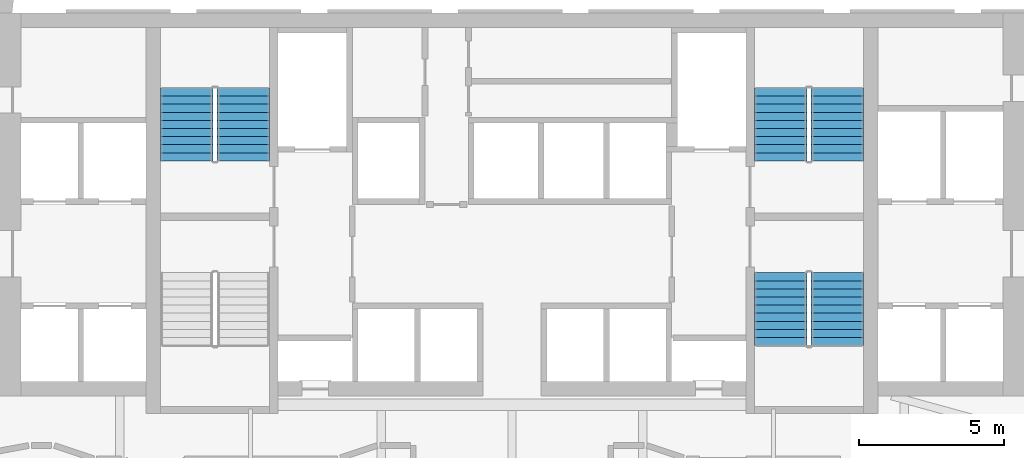
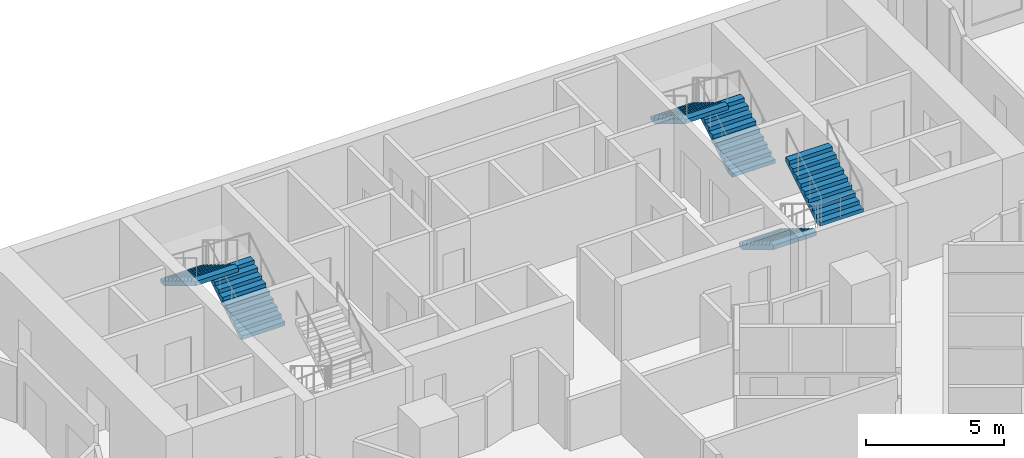
# One storey, part 11 of 12: 6 stair flights, 3 elements without a shape of their own.
"""IFC4 building model written with IfcOpenShell, lengths in metres."""

from ifc_helpers import new_model, si_unit, direction, frame, origin, place, context, subcontext, project, spatial, faceted_brep, source, transform, mapped, material, type_object, element, aggregate, save


model = new_model("IFC4")

# Units and contexts
model_context = context("Model", 3, precision=1e-05, world=origin(), true_north=direction((0.0, 1.0)))
body_context = subcontext(model_context, "Body", "Model", "MODEL_VIEW")
ifc_project = project(units=[si_unit("LENGTHUNIT", "METRE"), si_unit("AREAUNIT", "SQUARE_METRE"), si_unit("VOLUMEUNIT", "CUBIC_METRE"), si_unit("PLANEANGLEUNIT", "RADIAN"), si_unit("MASSUNIT", "GRAM", prefix="KILO")], contexts=[model_context])

# Site, building, storey
site_placement = place(None, origin())
site = spatial("IfcSite", under=ifc_project, at=site_placement, CompositionType="ELEMENT")
building_placement = place(site_placement, origin())
building = spatial("IfcBuilding", under=site, at=building_placement, Name="Calabash Gate Tower", CompositionType="ELEMENT")
storey_placement = place(building_placement, frame((0.0, 0.0, 76.60009765625)))
storey = spatial("IfcBuildingStorey", under=building, at=storey_placement, Name="L15", CompositionType="ELEMENT", Elevation=76.60009765625)

# Stair, stair flights
ifc_material_1 = material(Name="Concrete C40/50", Category="concrete")
stair_type = type_object("IfcStairType", Name="Exit stair 20 risers of 170 mm", PredefinedType="HALF_TURN_STAIR", material=ifc_material_1)
stair_1_placement = place(storey_placement, origin())
stair_1 = element("IfcStair", 1, at=stair_1_placement, inside=storey, type_object=stair_type, Name="L15 Exit stair ST1", PredefinedType="HALF_TURN_STAIR")
ifc_material_2 = material(Name="Concrete C40/50", Category="concrete")
stair_flight_type = type_object("IfcStairFlightType", Name="Exit stair flight SFL", PredefinedType="STRAIGHT", material=ifc_material_2)
shared_shape = source(origin(), body_context, "Body", "Brep", [
    faceted_brep([(-0.0009765625, -0.89990234375, 0.0), (0.2880859375, -0.89990234375, 0.0), (2.511962890625, -0.89990234375, 1.3544921875), (-0.0009765625, 0.89990234375, 0.0), (2.511962890625, 0.89990234375, 1.3544921875), (0.2880859375, 0.89990234375, 0.0), (2.511962890625, -0.89990234375, 1.5419921875), (2.510986328125, -0.89990234375, 1.5419921875), (2.510986328125, 0.89990234375, 1.5419921875), (2.511962890625, 0.89990234375, 1.5419921875), (2.510986328125, -0.89990234375, 1.530029296875), (2.510986328125, 0.89990234375, 1.530029296875), (2.23193359375, -0.89990234375, 1.530029296875), (2.23193359375, 0.89990234375, 1.530029296875), (2.23193359375, -0.89990234375, 1.360107421875), (2.23193359375, 0.89990234375, 1.360107421875), (1.952880859375, -0.89990234375, 1.360107421875), (1.952880859375, 0.89990234375, 1.360107421875), (1.952880859375, -0.89990234375, 1.18994140625), (1.952880859375, 0.89990234375, 1.18994140625), (1.674072265625, -0.89990234375, 1.18994140625), (1.674072265625, -0.89990234375, 1.02001953125), (1.674072265625, 0.89990234375, 1.02001953125), (1.674072265625, 0.89990234375, 1.18994140625), (1.39501953125, -0.89990234375, 1.02001953125), (1.39501953125, -0.89990234375, 0.85009765625), (1.39501953125, 0.89990234375, 0.85009765625), (1.39501953125, 0.89990234375, 1.02001953125), (1.115966796875, -0.89990234375, 0.85009765625), (1.115966796875, -0.89990234375, 0.679931640625), (1.115966796875, 0.89990234375, 0.679931640625), (1.115966796875, 0.89990234375, 0.85009765625), (0.8369140625, -0.89990234375, 0.679931640625), (0.8369140625, -0.89990234375, 0.510009765625), (0.8369140625, 0.89990234375, 0.510009765625), (0.8369140625, 0.89990234375, 0.679931640625), (0.55810546875, -0.89990234375, 0.510009765625), (0.55810546875, -0.89990234375, 0.340087890625), (0.55810546875, 0.89990234375, 0.340087890625), (0.55810546875, 0.89990234375, 0.510009765625), (0.279052734375, -0.89990234375, 0.340087890625), (0.279052734375, -0.89990234375, 0.169921875), (0.279052734375, 0.89990234375, 0.169921875), (0.279052734375, 0.89990234375, 0.340087890625), (-0.0009765625, -0.89990234375, 0.169921875), (-0.0009765625, 0.89990234375, 0.169921875), (0.2880859375, -0.360107421875, 0.0), (2.511962890625, -0.360107421875, 1.3544921875), (0.2880859375, -0.179931640625, 0.0), (2.511962890625, -0.179931640625, 1.3544921875), (0.2880859375, 0.0, 0.0), (2.511962890625, 0.0, 1.3544921875), (0.2880859375, 0.179931640625, 0.0), (2.511962890625, 0.179931640625, 1.3544921875), (0.2880859375, 0.360107421875, 0.0), (2.511962890625, 0.360107421875, 1.3544921875), (2.511962890625, -0.360107421875, 1.5419921875), (2.511962890625, -0.179931640625, 1.5419921875), (2.511962890625, 0.0, 1.5419921875), (2.511962890625, 0.179931640625, 1.5419921875), (2.511962890625, 0.360107421875, 1.5419921875), (2.510986328125, -0.360107421875, 1.5419921875), (2.510986328125, -0.179931640625, 1.5419921875), (2.510986328125, 0.0, 1.5419921875), (2.510986328125, 0.179931640625, 1.5419921875), (2.510986328125, 0.360107421875, 1.5419921875), (2.510986328125, -0.360107421875, 1.530029296875), (2.510986328125, -0.179931640625, 1.530029296875), (2.510986328125, 0.0, 1.530029296875), (2.510986328125, 0.179931640625, 1.530029296875), (2.510986328125, 0.360107421875, 1.530029296875), (2.23193359375, -0.360107421875, 1.530029296875), (2.23193359375, -0.179931640625, 1.530029296875), (2.23193359375, 0.0, 1.530029296875), (2.23193359375, 0.179931640625, 1.530029296875), (2.23193359375, 0.360107421875, 1.530029296875), (2.23193359375, -0.360107421875, 1.360107421875), (2.23193359375, -0.179931640625, 1.360107421875), (2.23193359375, 0.0, 1.360107421875), (2.23193359375, 0.179931640625, 1.360107421875), (2.23193359375, 0.360107421875, 1.360107421875), (1.952880859375, -0.360107421875, 1.360107421875), (1.952880859375, -0.179931640625, 1.360107421875), (1.952880859375, 0.0, 1.360107421875), (1.952880859375, 0.179931640625, 1.360107421875), (1.952880859375, 0.360107421875, 1.360107421875), (1.952880859375, -0.360107421875, 1.18994140625), (1.952880859375, -0.179931640625, 1.18994140625), (1.952880859375, 0.0, 1.18994140625), (1.952880859375, 0.179931640625, 1.18994140625), (1.952880859375, 0.360107421875, 1.18994140625), (1.674072265625, -0.360107421875, 1.18994140625), (1.674072265625, -0.179931640625, 1.18994140625), (1.674072265625, 0.0, 1.18994140625), (1.674072265625, 0.179931640625, 1.18994140625), (1.674072265625, 0.360107421875, 1.18994140625), (1.674072265625, -0.360107421875, 1.02001953125), (1.674072265625, -0.179931640625, 1.02001953125), (1.674072265625, 0.0, 1.02001953125), (1.674072265625, 0.179931640625, 1.02001953125), (1.674072265625, 0.360107421875, 1.02001953125), (1.39501953125, -0.360107421875, 1.02001953125), (1.39501953125, -0.179931640625, 1.02001953125), (1.39501953125, 0.0, 1.02001953125), (1.39501953125, 0.179931640625, 1.02001953125), (1.39501953125, 0.360107421875, 1.02001953125), (1.39501953125, -0.360107421875, 0.85009765625), (1.39501953125, -0.179931640625, 0.85009765625), (1.39501953125, 0.0, 0.85009765625), (1.39501953125, 0.179931640625, 0.85009765625), (1.39501953125, 0.360107421875, 0.85009765625), (1.115966796875, -0.360107421875, 0.85009765625), (1.115966796875, -0.179931640625, 0.85009765625), (1.115966796875, 0.0, 0.85009765625), (1.115966796875, 0.179931640625, 0.85009765625), (1.115966796875, 0.360107421875, 0.85009765625), (1.115966796875, -0.360107421875, 0.679931640625), (1.115966796875, -0.179931640625, 0.679931640625), (1.115966796875, 0.0, 0.679931640625), (1.115966796875, 0.179931640625, 0.679931640625), (1.115966796875, 0.360107421875, 0.679931640625), (0.8369140625, -0.360107421875, 0.679931640625), (0.8369140625, -0.179931640625, 0.679931640625), (0.8369140625, 0.0, 0.679931640625), (0.8369140625, 0.179931640625, 0.679931640625), (0.8369140625, 0.360107421875, 0.679931640625), (0.8369140625, -0.360107421875, 0.510009765625), (0.8369140625, -0.179931640625, 0.510009765625), (0.8369140625, 0.0, 0.510009765625), (0.8369140625, 0.179931640625, 0.510009765625), (0.8369140625, 0.360107421875, 0.510009765625), (0.55810546875, -0.360107421875, 0.510009765625), (0.55810546875, -0.179931640625, 0.510009765625), (0.55810546875, 0.0, 0.510009765625), (0.55810546875, 0.179931640625, 0.510009765625), (0.55810546875, 0.360107421875, 0.510009765625), (0.55810546875, -0.360107421875, 0.340087890625), (0.55810546875, -0.179931640625, 0.340087890625), (0.55810546875, 0.0, 0.340087890625), (0.55810546875, 0.179931640625, 0.340087890625), (0.55810546875, 0.360107421875, 0.340087890625), (0.279052734375, -0.360107421875, 0.340087890625), (0.279052734375, -0.179931640625, 0.340087890625), (0.279052734375, 0.0, 0.340087890625), (0.279052734375, 0.179931640625, 0.340087890625), (0.279052734375, 0.360107421875, 0.340087890625), (0.279052734375, -0.360107421875, 0.169921875), (0.279052734375, -0.179931640625, 0.169921875), (0.279052734375, 0.0, 0.169921875), (0.279052734375, 0.179931640625, 0.169921875), (0.279052734375, 0.360107421875, 0.169921875), (-0.0009765625, -0.360107421875, 0.169921875), (-0.0009765625, -0.179931640625, 0.169921875), (-0.0009765625, 0.0, 0.169921875), (-0.0009765625, 0.179931640625, 0.169921875), (-0.0009765625, 0.360107421875, 0.169921875), (-0.0009765625, -0.360107421875, 0.0), (-0.0009765625, -0.179931640625, 0.0), (-0.0009765625, 0.0, 0.0), (-0.0009765625, 0.179931640625, 0.0), (-0.0009765625, 0.360107421875, 0.0)], [[[0, 1, 2]], [[3, 4, 5]], [[2, 6, 7]], [[4, 8, 9]], [[2, 7, 10]], [[4, 11, 8]], [[2, 10, 12]], [[4, 13, 11]], [[2, 12, 14]], [[4, 15, 13]], [[2, 14, 16]], [[4, 17, 15]], [[2, 16, 18]], [[4, 19, 17]], [[18, 20, 21]], [[19, 22, 23]], [[2, 18, 21]], [[4, 22, 19]], [[21, 24, 25]], [[22, 26, 27]], [[2, 21, 25]], [[4, 26, 22]], [[25, 28, 29]], [[26, 30, 31]], [[2, 25, 29]], [[4, 30, 26]], [[29, 32, 33]], [[30, 34, 35]], [[2, 29, 33]], [[4, 34, 30]], [[33, 36, 37]], [[34, 38, 39]], [[2, 33, 37]], [[4, 38, 34]], [[37, 40, 41]], [[38, 42, 43]], [[2, 37, 41]], [[4, 42, 38]], [[0, 2, 41]], [[3, 42, 4]], [[41, 44, 0]], [[42, 3, 45]], [[1, 46, 2]], [[46, 47, 2]], [[46, 48, 47]], [[48, 49, 47]], [[48, 50, 49]], [[50, 51, 49]], [[50, 52, 53]], [[50, 53, 51]], [[52, 54, 55]], [[52, 55, 53]], [[54, 5, 4]], [[54, 4, 55]], [[2, 47, 6]], [[47, 56, 6]], [[47, 49, 56]], [[49, 57, 56]], [[49, 51, 57]], [[51, 58, 57]], [[51, 53, 59]], [[51, 59, 58]], [[53, 55, 60]], [[53, 60, 59]], [[55, 4, 9]], [[55, 9, 60]], [[6, 56, 7]], [[56, 61, 7]], [[56, 57, 61]], [[57, 62, 61]], [[57, 58, 62]], [[58, 63, 62]], [[58, 59, 64]], [[58, 64, 63]], [[59, 60, 65]], [[59, 65, 64]], [[60, 9, 8]], [[60, 8, 65]], [[7, 61, 10]], [[61, 66, 10]], [[61, 62, 66]], [[62, 67, 66]], [[62, 63, 67]], [[63, 68, 67]], [[63, 64, 69]], [[63, 69, 68]], [[64, 65, 70]], [[64, 70, 69]], [[65, 8, 11]], [[65, 11, 70]], [[10, 66, 12]], [[66, 71, 12]], [[66, 67, 71]], [[67, 72, 71]], [[67, 68, 72]], [[68, 73, 72]], [[68, 69, 74]], [[68, 74, 73]], [[69, 70, 75]], [[69, 75, 74]], [[70, 11, 13]], [[70, 13, 75]], [[12, 71, 14]], [[71, 76, 14]], [[71, 72, 76]], [[72, 77, 76]], [[72, 73, 77]], [[73, 78, 77]], [[73, 74, 79]], [[73, 79, 78]], [[74, 75, 80]], [[74, 80, 79]], [[75, 13, 15]], [[75, 15, 80]], [[14, 76, 16]], [[76, 81, 16]], [[76, 77, 81]], [[77, 82, 81]], [[77, 78, 82]], [[78, 83, 82]], [[78, 79, 84]], [[78, 84, 83]], [[79, 80, 85]], [[79, 85, 84]], [[80, 15, 17]], [[80, 17, 85]], [[16, 81, 18]], [[81, 86, 18]], [[81, 82, 86]], [[82, 87, 86]], [[82, 83, 87]], [[83, 88, 87]], [[83, 84, 89]], [[83, 89, 88]], [[84, 85, 90]], [[84, 90, 89]], [[85, 17, 19]], [[85, 19, 90]], [[18, 86, 20]], [[86, 91, 20]], [[86, 87, 91]], [[87, 92, 91]], [[87, 88, 92]], [[88, 93, 92]], [[88, 89, 94]], [[88, 94, 93]], [[89, 90, 95]], [[89, 95, 94]], [[90, 19, 23]], [[90, 23, 95]], [[20, 91, 21]], [[91, 96, 21]], [[91, 92, 96]], [[92, 97, 96]], [[92, 93, 97]], [[93, 98, 97]], [[93, 94, 99]], [[93, 99, 98]], [[94, 95, 100]], [[94, 100, 99]], [[95, 23, 22]], [[95, 22, 100]], [[21, 96, 24]], [[96, 101, 24]], [[96, 97, 101]], [[97, 102, 101]], [[97, 98, 102]], [[98, 103, 102]], [[98, 99, 104]], [[98, 104, 103]], [[99, 100, 105]], [[99, 105, 104]], [[100, 22, 27]], [[100, 27, 105]], [[24, 101, 25]], [[101, 106, 25]], [[101, 102, 106]], [[102, 107, 106]], [[102, 103, 107]], [[103, 108, 107]], [[103, 104, 109]], [[103, 109, 108]], [[104, 105, 110]], [[104, 110, 109]], [[105, 27, 26]], [[105, 26, 110]], [[25, 106, 28]], [[106, 111, 28]], [[106, 107, 111]], [[107, 112, 111]], [[107, 108, 112]], [[108, 113, 112]], [[108, 109, 114]], [[108, 114, 113]], [[109, 110, 115]], [[109, 115, 114]], [[110, 26, 31]], [[110, 31, 115]], [[28, 111, 29]], [[111, 116, 29]], [[111, 112, 116]], [[112, 117, 116]], [[112, 113, 117]], [[113, 118, 117]], [[113, 114, 119]], [[113, 119, 118]], [[114, 115, 120]], [[114, 120, 119]], [[115, 31, 30]], [[115, 30, 120]], [[29, 116, 32]], [[116, 121, 32]], [[116, 117, 121]], [[117, 122, 121]], [[117, 118, 122]], [[118, 123, 122]], [[118, 119, 124]], [[118, 124, 123]], [[119, 120, 125]], [[119, 125, 124]], [[120, 30, 35]], [[120, 35, 125]], [[32, 121, 33]], [[121, 126, 33]], [[121, 122, 126]], [[122, 127, 126]], [[122, 123, 127]], [[123, 128, 127]], [[123, 124, 129]], [[123, 129, 128]], [[124, 125, 130]], [[124, 130, 129]], [[125, 35, 34]], [[125, 34, 130]], [[33, 126, 36]], [[126, 131, 36]], [[126, 127, 131]], [[127, 132, 131]], [[127, 128, 132]], [[128, 133, 132]], [[128, 129, 134]], [[128, 134, 133]], [[129, 130, 135]], [[129, 135, 134]], [[130, 34, 39]], [[130, 39, 135]], [[36, 131, 37]], [[131, 136, 37]], [[131, 132, 136]], [[132, 137, 136]], [[132, 133, 137]], [[133, 138, 137]], [[133, 134, 139]], [[133, 139, 138]], [[134, 135, 140]], [[134, 140, 139]], [[135, 39, 38]], [[135, 38, 140]], [[37, 136, 40]], [[136, 141, 40]], [[136, 137, 141]], [[137, 142, 141]], [[137, 138, 142]], [[138, 143, 142]], [[138, 139, 144]], [[138, 144, 143]], [[139, 140, 145]], [[139, 145, 144]], [[140, 38, 43]], [[140, 43, 145]], [[40, 141, 41]], [[141, 146, 41]], [[141, 142, 146]], [[142, 147, 146]], [[142, 143, 147]], [[143, 148, 147]], [[143, 144, 149]], [[143, 149, 148]], [[144, 145, 150]], [[144, 150, 149]], [[145, 43, 42]], [[145, 42, 150]], [[41, 146, 44]], [[146, 151, 44]], [[146, 147, 151]], [[147, 152, 151]], [[147, 148, 152]], [[148, 153, 152]], [[148, 149, 154]], [[148, 154, 153]], [[149, 150, 155]], [[149, 155, 154]], [[150, 42, 45]], [[150, 45, 155]], [[44, 151, 0]], [[151, 156, 0]], [[151, 152, 156]], [[152, 157, 156]], [[152, 153, 157]], [[153, 158, 157]], [[153, 154, 159]], [[153, 159, 158]], [[154, 155, 160]], [[154, 160, 159]], [[155, 45, 3]], [[155, 3, 160]], [[0, 156, 1]], [[156, 46, 1]], [[156, 157, 46]], [[157, 48, 46]], [[157, 158, 48]], [[158, 50, 48]], [[158, 159, 52]], [[158, 52, 50]], [[159, 160, 54]], [[159, 54, 52]], [[160, 3, 5]], [[160, 5, 54]]]),
])
stair_flight_1_placement = place(storey_placement, frame((-9.25, 13.95263671875, 0.0), z_axis=(0.0, 0.0, 1.0), x_axis=(0.0, 1.0, 0.0)))
stair_flight_1 = element("IfcStairFlight", 2, at=stair_flight_1_placement, type_object=stair_flight_type, Name="ST1 flight 1", NumberOfRisers=10, NumberOfTreads=9, PredefinedType="STRAIGHT", RiserHeight=0.17, TreadLength=0.279, context=body_context, shape_type="MappedRepresentation", body=[
    mapped(shared_shape, transform((0.0, 0.0, 0.0), scale=1.0)),
])
stair_flight_2_placement = place(storey_placement, frame((-11.199951171875, 16.463623046875, 1.699951171875), z_axis=(0.0, 0.0, 1.0), x_axis=(0.0, -1.0, 0.0)))
stair_flight_2 = element("IfcStairFlight", 3, at=stair_flight_2_placement, type_object=stair_flight_type, Name="ST1 flight 2", NumberOfRisers=10, NumberOfTreads=9, PredefinedType="STRAIGHT", RiserHeight=0.17, TreadLength=0.279, context=body_context, shape_type="MappedRepresentation", body=[
    mapped(shared_shape, transform((0.0, 0.0, 0.0), scale=1.0)),
])
aggregate(stair_1, [stair_flight_1, stair_flight_2])

stair_2_placement = place(storey_placement, origin())
stair_2 = element("IfcStair", 4, at=stair_2_placement, inside=storey, type_object=stair_type, Name="L15 Exit stair ST3", PredefinedType="HALF_TURN_STAIR")
stair_flight_3_placement = place(storey_placement, frame((11.199951171875, 13.95263671875, 0.0), z_axis=(0.0, 0.0, 1.0), x_axis=(0.0, 1.0, 0.0)))
stair_flight_3 = element("IfcStairFlight", 5, at=stair_flight_3_placement, type_object=stair_flight_type, Name="ST3 flight 1", NumberOfRisers=10, NumberOfTreads=9, PredefinedType="STRAIGHT", RiserHeight=0.17, TreadLength=0.279, context=body_context, shape_type="MappedRepresentation", body=[
    mapped(shared_shape, transform((0.0, 0.0, 0.0), scale=1.0)),
])
stair_flight_4_placement = place(storey_placement, frame((9.25, 16.463623046875, 1.699951171875), z_axis=(0.0, 0.0, 1.0), x_axis=(0.0, -1.0, 0.0)))
stair_flight_4 = element("IfcStairFlight", 6, at=stair_flight_4_placement, type_object=stair_flight_type, Name="ST3 flight 2", NumberOfRisers=10, NumberOfTreads=9, PredefinedType="STRAIGHT", RiserHeight=0.17, TreadLength=0.279, context=body_context, shape_type="MappedRepresentation", body=[
    mapped(shared_shape, transform((0.0, 0.0, 0.0), scale=1.0)),
])
aggregate(stair_2, [stair_flight_3, stair_flight_4])

stair_3_placement = place(storey_placement, origin())
stair_3 = element("IfcStair", 7, at=stair_3_placement, inside=storey, type_object=stair_type, Name="L15 Exit stair ST4", PredefinedType="HALF_TURN_STAIR")
stair_flight_5_placement = place(storey_placement, frame((9.25, 10.1025390625, 0.0), z_axis=(0.0, 0.0, 1.0), x_axis=(0.0, -1.0, 0.0)))
stair_flight_5 = element("IfcStairFlight", 8, at=stair_flight_5_placement, type_object=stair_flight_type, Name="ST4 flight 1", NumberOfRisers=10, NumberOfTreads=9, PredefinedType="STRAIGHT", RiserHeight=0.17, TreadLength=0.279, context=body_context, shape_type="MappedRepresentation", body=[
    mapped(shared_shape, transform((0.0, 0.0, 0.0), scale=1.0)),
])
stair_flight_6_placement = place(storey_placement, frame((11.199951171875, 7.591552734375, 1.699951171875), z_axis=(0.0, 0.0, 1.0), x_axis=(0.0, 1.0, 0.0)))
stair_flight_6 = element("IfcStairFlight", 9, at=stair_flight_6_placement, type_object=stair_flight_type, Name="ST4 flight 2", NumberOfRisers=10, NumberOfTreads=9, PredefinedType="STRAIGHT", RiserHeight=0.17, TreadLength=0.279, context=body_context, shape_type="MappedRepresentation", body=[
    mapped(shared_shape, transform((0.0, 0.0, 0.0), scale=1.0)),
])
aggregate(stair_3, [stair_flight_5, stair_flight_6])

save(model, "model.ifc")
